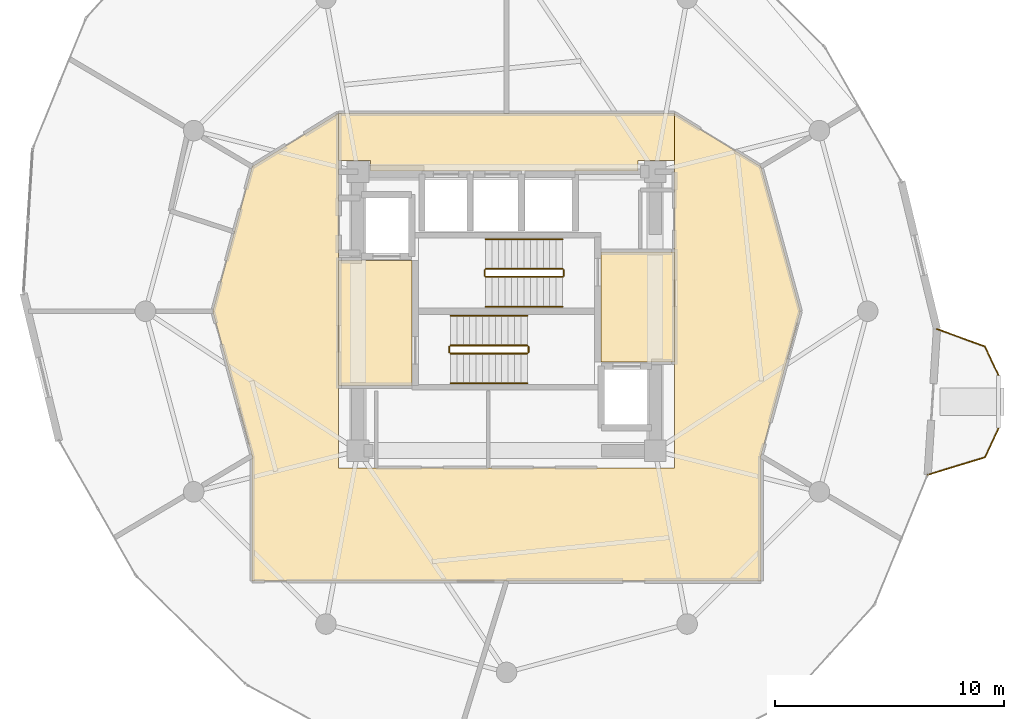
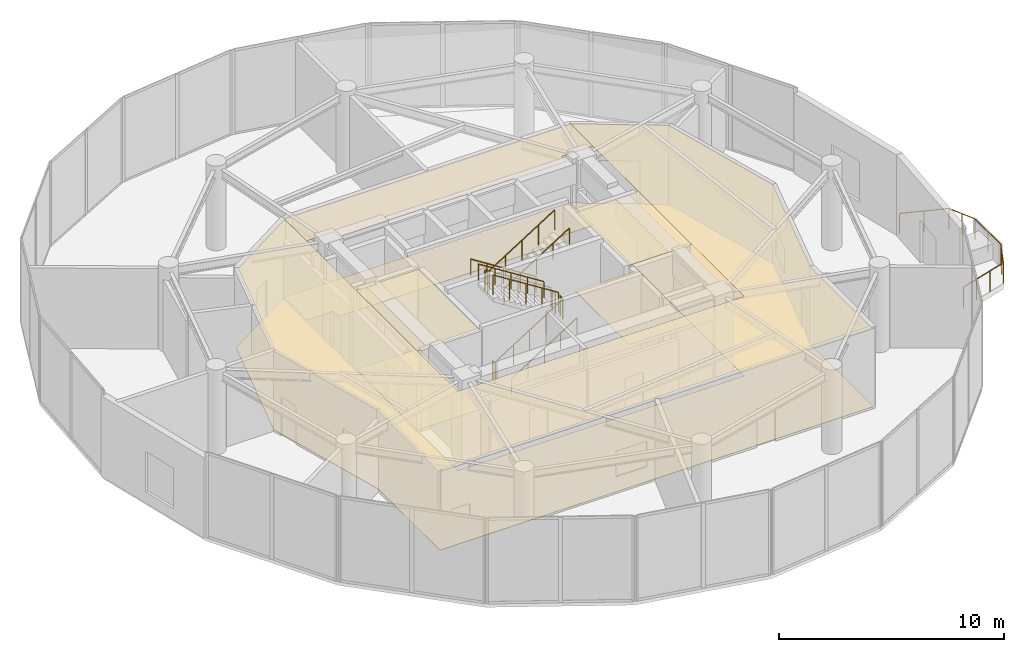
# One storey, part 22 of 23: 13 railings, 8 coverings.
"""IFC4 building model written with IfcOpenShell, lengths in metres."""

from ifc_helpers import new_model, si_unit, direction, frame, origin, origin_2d, place, context, subcontext, project, spatial, polyline, circle, outline, extrude, material, layer, layer_set, type_object, element, save


model = new_model("IFC4")

# Units and contexts
model_context = context("Model", 3, precision=1e-05, world=origin(), true_north=direction((0.0, 1.0)))
body_context = subcontext(model_context, "Body", "Model", "MODEL_VIEW")
ifc_project = project(units=[si_unit("LENGTHUNIT", "METRE"), si_unit("AREAUNIT", "SQUARE_METRE"), si_unit("VOLUMEUNIT", "CUBIC_METRE"), si_unit("PLANEANGLEUNIT", "RADIAN"), si_unit("MASSUNIT", "GRAM", prefix="KILO")], contexts=[model_context])

# Site, building, storey
site_placement = place(None, origin())
site = spatial("IfcSite", under=ifc_project, at=site_placement, CompositionType="ELEMENT")
building_placement = place(site_placement, origin())
building = spatial("IfcBuilding", under=site, at=building_placement, Name="Solvirekh Grand Hotel", CompositionType="ELEMENT")
storey_placement = place(building_placement, frame((0.0, 0.0, 168.60009765625)))
storey = spatial("IfcBuildingStorey", under=building, at=storey_placement, Name="L43", CompositionType="ELEMENT", Elevation=168.60009765625)

# Coverings
ifc_material_1 = material(Name="Acoustic Mineral Ceiling Tile")
ifc_layer_1 = layer(ifc_material_1, 0.02490234375)
ifc_layer_set_1 = layer_set([ifc_layer_1], Name="Acoustic Mineral Ceiling Tile")
covering_type_1 = type_object("IfcCoveringType", Name="Cov_Ceiling_Acoustic", PredefinedType="CEILING", material=ifc_layer_set_1)
covering_1_placement = place(storey_placement, frame((0.0, 0.0, 4.309814453125)))
element("IfcCovering", 1, at=covering_1_placement, inside=storey, type_object=covering_type_1, Name="L43 Firefighting Lobby West acoustic ceiling", PredefinedType="CEILING", context=body_context, shape_type="SweptSolid", body=[
    extrude(outline(polyline([(-7.35009765625, -3.25), (-4.1298828125, -3.25), (-4.1298828125, 2.2099609375), (-7.35009765625, 2.2099609375), (-7.35009765625, -3.25)])), origin(), (0.0, 0.0, 1.0), 0.01806640625),
])
covering_2_placement = place(storey_placement, frame((0.0, 0.0, 4.309814453125)))
element("IfcCovering", 2, at=covering_2_placement, inside=storey, type_object=covering_type_1, Name="L43 Firefighting Lobby East acoustic ceiling", PredefinedType="CEILING", context=body_context, shape_type="SweptSolid", body=[
    extrude(outline(polyline([(4.1298828125, -2.2099609375), (7.35009765625, -2.2099609375), (7.35009765625, 2.60009765625), (4.1298828125, 2.60009765625), (4.1298828125, -2.2099609375)])), origin(), (0.0, 0.0, 1.0), 0.01806640625),
])
covering_3_placement = place(storey_placement, frame((0.0, 0.0, 4.309814453125)))
element("IfcCovering", 3, at=covering_3_placement, inside=storey, type_object=covering_type_1, Name="L43 L43 High-Zone Passenger Lift Lobby acoustic ceiling", PredefinedType="CEILING", context=body_context, shape_type="SweptSolid", body=[
    extrude(outline(polyline([(-7.35009765625, 6.60009765625), (-5.949951171875, 6.60009765625), (-5.949951171875, 6.139892578125), (5.75, 6.139892578125), (5.75, 6.60009765625), (7.35009765625, 6.60009765625), (7.35009765625, 8.64990234375), (-7.35009765625, 8.64990234375), (-7.35009765625, 6.60009765625)])), origin(), (0.0, 0.0, 1.0), 0.01806640625),
])
covering_4_placement = place(storey_placement, frame((0.0, 0.0, 4.309814453125)))
element("IfcCovering", 4, at=covering_4_placement, inside=storey, type_object=covering_type_1, Name="L43 L43 Open Sky-Gallery Concourse acoustic ceiling", PredefinedType="CEILING", context=body_context, shape_type="SweptSolid", body=[
    extrude(outline(polyline([(-7.35009765625, -6.85009765625), (-7.35009765625, 8.64990234375), (-11.1279296875, 6.324951171875), (-12.85009765625, 0.0), (-11.1279296875, -6.324951171875), (-11.1279296875, -11.800048828125), (0.0, -11.800048828125), (11.1279296875, -11.800048828125), (11.1279296875, -6.324951171875), (12.85009765625, 0.0), (11.1279296875, 6.324951171875), (7.35009765625, 8.64990234375), (7.35009765625, -6.85009765625), (-7.35009765625, -6.85009765625)])), origin(), (0.0, 0.0, 1.0), 0.01806640625),
])
ifc_material_2 = material(Name="Porcelain Stoneware Flooring", Category="masonry")
ifc_layer_2 = layer(ifc_material_2, 0.030029296875)
ifc_layer_set_2 = layer_set([ifc_layer_2], Name="Porcelain Stoneware Flooring")
covering_type_2 = type_object("IfcCoveringType", Name="Cov_Floor_Stone", PredefinedType="FLOORING", material=ifc_layer_set_2)
covering_5_placement = place(storey_placement, origin())
element("IfcCovering", 5, at=covering_5_placement, inside=storey, type_object=covering_type_2, Name="L43 Firefighting Lobby West polished granite flooring", PredefinedType="FLOORING", context=body_context, shape_type="SweptSolid", body=[
    extrude(outline(polyline([(-7.35009765625, -3.25), (-4.1298828125, -3.25), (-4.1298828125, 2.2099609375), (-7.35009765625, 2.2099609375), (-7.35009765625, -3.25)])), origin(), (0.0, 0.0, 1.0), 0.02001953125),
])
covering_6_placement = place(storey_placement, origin())
element("IfcCovering", 6, at=covering_6_placement, inside=storey, type_object=covering_type_2, Name="L43 Firefighting Lobby East polished granite flooring", PredefinedType="FLOORING", context=body_context, shape_type="SweptSolid", body=[
    extrude(outline(polyline([(4.1298828125, -2.2099609375), (7.35009765625, -2.2099609375), (7.35009765625, 2.60009765625), (4.1298828125, 2.60009765625), (4.1298828125, -2.2099609375)])), origin(), (0.0, 0.0, 1.0), 0.02001953125),
])
covering_7_placement = place(storey_placement, origin())
element("IfcCovering", 7, at=covering_7_placement, inside=storey, type_object=covering_type_2, Name="L43 L43 High-Zone Passenger Lift Lobby polished granite flooring", PredefinedType="FLOORING", context=body_context, shape_type="SweptSolid", body=[
    extrude(outline(polyline([(-7.35009765625, 6.60009765625), (-5.949951171875, 6.60009765625), (-5.949951171875, 6.139892578125), (5.75, 6.139892578125), (5.75, 6.60009765625), (7.35009765625, 6.60009765625), (7.35009765625, 8.64990234375), (-7.35009765625, 8.64990234375), (-7.35009765625, 6.60009765625)])), origin(), (0.0, 0.0, 1.0), 0.02001953125),
])
covering_8_placement = place(storey_placement, origin())
element("IfcCovering", 8, at=covering_8_placement, inside=storey, type_object=covering_type_2, Name="L43 L43 Open Sky-Gallery Concourse polished granite flooring", PredefinedType="FLOORING", context=body_context, shape_type="SweptSolid", body=[
    extrude(outline(polyline([(-7.35009765625, -6.85009765625), (-7.35009765625, 8.64990234375), (-11.1279296875, 6.324951171875), (-12.85009765625, 0.0), (-11.1279296875, -6.324951171875), (-11.1279296875, -11.800048828125), (0.0, -11.800048828125), (11.1279296875, -11.800048828125), (11.1279296875, -6.324951171875), (12.85009765625, 0.0), (11.1279296875, 6.324951171875), (7.35009765625, 8.64990234375), (7.35009765625, -6.85009765625), (-7.35009765625, -6.85009765625)])), origin(), (0.0, 0.0, 1.0), 0.02001953125),
])

# Railings
ifc_material_3 = material(Name="Anodized Bronze Aluminium 6063-T6", Category="aluminium")
railing_type_1 = type_object("IfcRailingType", Name="Guard_ExtGlass_1150", PredefinedType="BALUSTRADE", material=ifc_material_3)
railing_1_placement = place(storey_placement, frame((18.424072265625, -7.155029296875, 0.0)))
element("IfcRailing", 9, at=railing_1_placement, inside=storey, type_object=railing_type_1, Name="L43 horn perimeter glass balustrade", PredefinedType="BALUSTRADE", context=body_context, shape_type="SweptSolid", body=[
    extrude(circle(Radius=0.02392578125, at=origin_2d()), frame((0.0, 0.0, 1.1259765625), z_axis=(0.956345779914, 0.292237487739, 0.0), x_axis=(-0.292237487739, 0.956345779914, 0.0)), (0.0, 0.0, 1.0), 2.6181640625),
    extrude(circle(Radius=0.02392578125, at=origin_2d()), frame((2.50390625, 0.76513671875, 1.1259765625), z_axis=(0.425613572183, 0.904905015553, 0.0), x_axis=(-0.904905015553, 0.425613572183, 0.0)), (0.0, 0.0, 1.0), 1.409912109375),
    extrude(circle(Radius=0.02392578125, at=origin_2d()), frame((3.10400390625, 2.041015625, 1.1259765625), z_axis=(0.0, 1.0, 0.0), x_axis=(-1.0, 0.0, 0.0)), (0.0, 0.0, 1.0), 2.294921875),
    extrude(circle(Radius=0.02392578125, at=origin_2d()), frame((3.10400390625, 4.3359375, 1.1259765625), z_axis=(-0.425546892806, 0.904936374572, 0.0), x_axis=(-0.904936374572, -0.425546892806, 0.0)), (0.0, 0.0, 1.0), 1.41015625),
    extrude(circle(Radius=0.02392578125, at=origin_2d()), frame((2.50390625, 5.612060546875, 1.1259765625), z_axis=(-0.939617889851, 0.342225395129, 0.0), x_axis=(-0.342225395129, -0.939617889851, 0.0)), (0.0, 0.0, 1.0), 2.235107421875),
    extrude(circle(Radius=0.02099609375, at=origin_2d()), origin(), (0.0, 0.0, 1.0), 1.101806640625),
    extrude(circle(Radius=0.02099609375, at=origin_2d()), frame((0.834716796875, 0.255126953125, 0.0)), (0.0, 0.0, 1.0), 1.101806640625),
    extrude(circle(Radius=0.02099609375, at=origin_2d()), frame((1.669189453125, 0.510009765625, 0.0)), (0.0, 0.0, 1.0), 1.101806640625),
    extrude(circle(Radius=0.02099609375, at=origin_2d()), frame((2.50390625, 0.76513671875, 0.0)), (0.0, 0.0, 1.0), 1.101806640625),
    extrude(circle(Radius=0.02099609375, at=origin_2d()), frame((2.803955078125, 1.403076171875, 0.0)), (0.0, 0.0, 1.0), 1.101806640625),
    extrude(circle(Radius=0.02099609375, at=origin_2d()), frame((3.10400390625, 2.041015625, 0.0)), (0.0, 0.0, 1.0), 1.101806640625),
    extrude(circle(Radius=0.02099609375, at=origin_2d()), frame((3.10400390625, 3.1884765625, 0.0)), (0.0, 0.0, 1.0), 1.101806640625),
    extrude(circle(Radius=0.02099609375, at=origin_2d()), frame((3.10400390625, 4.3359375, 0.0)), (0.0, 0.0, 1.0), 1.101806640625),
    extrude(circle(Radius=0.02099609375, at=origin_2d()), frame((2.803955078125, 4.97412109375, 0.0)), (0.0, 0.0, 1.0), 1.101806640625),
    extrude(circle(Radius=0.02099609375, at=origin_2d()), frame((2.50390625, 5.612060546875, 0.0)), (0.0, 0.0, 1.0), 1.101806640625),
    extrude(circle(Radius=0.02099609375, at=origin_2d()), frame((1.453857421875, 5.99462890625, 0.0)), (0.0, 0.0, 1.0), 1.101806640625),
    extrude(circle(Radius=0.02099609375, at=origin_2d()), frame((0.40380859375, 6.376953125, 0.0)), (0.0, 0.0, 1.0), 1.101806640625),
])
ifc_material_4 = material(Name="Steel S355", Category="steel")
railing_type_2 = type_object("IfcRailingType", Name="Guard_Stair_1100", PredefinedType="GUARDRAIL", material=ifc_material_4)
railing_2_placement = place(storey_placement, frame((-2.449951171875, -1.85009765625, 0.1767578125)))
element("IfcRailing", 10, at=railing_2_placement, inside=storey, type_object=railing_type_2, Name="L43 ST-1 stair guard 1", PredefinedType="GUARDRAIL", context=body_context, shape_type="SweptSolid", body=[
    extrude(circle(Radius=0.02392578125, at=origin_2d()), frame((0.0, 0.0, 1.076171875), z_axis=(0.845372108799, 0.0, 0.534177870812), x_axis=(0.0, 1.0, 0.0)), (0.0, 0.0, 1.0), 3.974365234375),
    extrude(circle(Radius=0.02099609375, at=origin_2d()), origin(), (0.0, 0.0, 1.0), 1.052001953125),
    extrude(circle(Radius=0.02099609375, at=origin_2d()), frame((0.83984375, 0.0, 0.53076171875)), (0.0, 0.0, 1.0), 1.052001953125),
    extrude(circle(Radius=0.02099609375, at=origin_2d()), frame((1.679931640625, 0.0, 1.0615234375)), (0.0, 0.0, 1.0), 1.052001953125),
    extrude(circle(Radius=0.02099609375, at=origin_2d()), frame((2.52001953125, 0.0, 1.59228515625)), (0.0, 0.0, 1.0), 1.052001953125),
    extrude(circle(Radius=0.02099609375, at=origin_2d()), frame((3.35986328125, 0.0, 2.123046875)), (0.0, 0.0, 1.0), 1.052001953125),
])
railing_3_placement = place(storey_placement, frame((0.9599609375, -1.800048828125, 2.2998046875)))
element("IfcRailing", 11, at=railing_3_placement, inside=storey, type_object=railing_type_2, Name="L43 ST-1 stair guard 2", PredefinedType="GUARDRAIL", context=body_context, shape_type="SweptSolid", body=[
    extrude(circle(Radius=0.02392578125, at=origin_2d()), frame((0.0, 0.0, 1.076171875), z_axis=(0.0, 1.0, 0.0), x_axis=(-1.0, 0.0, 0.0)), (0.0, 0.0, 1.0), 0.25),
    extrude(circle(Radius=0.02099609375, at=origin_2d()), origin(), (0.0, 0.0, 1.0), 1.052001953125),
    extrude(circle(Radius=0.02099609375, at=origin_2d()), frame((0.0, 0.25, 0.0)), (0.0, 0.0, 1.0), 1.052001953125),
])
railing_4_placement = place(storey_placement, frame((0.909912109375, -1.5, 2.476806640625)))
element("IfcRailing", 12, at=railing_4_placement, inside=storey, type_object=railing_type_2, Name="L43 ST-1 stair guard 3", PredefinedType="GUARDRAIL", context=body_context, shape_type="SweptSolid", body=[
    extrude(circle(Radius=0.02392578125, at=origin_2d()), frame((0.0, 0.0, 1.076171875), z_axis=(-0.845372108799, 0.0, 0.534177870812), x_axis=(0.0, -1.0, 0.0)), (0.0, 0.0, 1.0), 3.974365234375),
    extrude(circle(Radius=0.02099609375, at=origin_2d()), origin(), (0.0, 0.0, 1.0), 1.052001953125),
    extrude(circle(Radius=0.02099609375, at=origin_2d()), frame((-0.83984375, 0.0, 0.53076171875)), (0.0, 0.0, 1.0), 1.052001953125),
    extrude(circle(Radius=0.02099609375, at=origin_2d()), frame((-1.679931640625, 0.0, 1.0615234375)), (0.0, 0.0, 1.0), 1.052001953125),
    extrude(circle(Radius=0.02099609375, at=origin_2d()), frame((-2.52001953125, 0.0, 1.59228515625)), (0.0, 0.0, 1.0), 1.052001953125),
    extrude(circle(Radius=0.02099609375, at=origin_2d()), frame((-3.35986328125, 0.0, 2.123046875)), (0.0, 0.0, 1.0), 1.052001953125),
])
railing_5_placement = place(storey_placement, frame((-2.5, -1.800048828125, 0.0)))
element("IfcRailing", 13, at=railing_5_placement, inside=storey, type_object=railing_type_2, Name="L43 ST-1 stair guard 4", PredefinedType="GUARDRAIL", context=body_context, shape_type="SweptSolid", body=[
    extrude(circle(Radius=0.02392578125, at=origin_2d()), frame((0.0, 0.0, 1.076171875), z_axis=(0.0, 1.0, 0.0), x_axis=(-1.0, 0.0, 0.0)), (0.0, 0.0, 1.0), 0.25),
    extrude(circle(Radius=0.02099609375, at=origin_2d()), origin(), (0.0, 0.0, 1.0), 1.052001953125),
    extrude(circle(Radius=0.02099609375, at=origin_2d()), frame((0.0, 0.25, 0.0)), (0.0, 0.0, 1.0), 1.052001953125),
])
railing_6_placement = place(storey_placement, frame((2.449951171875, 1.85009765625, 0.1767578125)))
element("IfcRailing", 14, at=railing_6_placement, inside=storey, type_object=railing_type_2, Name="L43 ST-2 stair guard 1", PredefinedType="GUARDRAIL", context=body_context, shape_type="SweptSolid", body=[
    extrude(circle(Radius=0.02392578125, at=origin_2d()), frame((0.0, 0.0, 1.076171875), z_axis=(-0.845372108799, 0.0, 0.534177870812), x_axis=(0.0, -1.0, 0.0)), (0.0, 0.0, 1.0), 3.974365234375),
    extrude(circle(Radius=0.02099609375, at=origin_2d()), origin(), (0.0, 0.0, 1.0), 1.052001953125),
    extrude(circle(Radius=0.02099609375, at=origin_2d()), frame((-0.83984375, 0.0, 0.53076171875)), (0.0, 0.0, 1.0), 1.052001953125),
    extrude(circle(Radius=0.02099609375, at=origin_2d()), frame((-1.679931640625, 0.0, 1.0615234375)), (0.0, 0.0, 1.0), 1.052001953125),
    extrude(circle(Radius=0.02099609375, at=origin_2d()), frame((-2.52001953125, 0.0, 1.59228515625)), (0.0, 0.0, 1.0), 1.052001953125),
    extrude(circle(Radius=0.02099609375, at=origin_2d()), frame((-3.35986328125, 0.0, 2.123046875)), (0.0, 0.0, 1.0), 1.052001953125),
])
railing_7_placement = place(storey_placement, frame((-0.9599609375, 1.800048828125, 2.2998046875)))
element("IfcRailing", 15, at=railing_7_placement, inside=storey, type_object=railing_type_2, Name="L43 ST-2 stair guard 2", PredefinedType="GUARDRAIL", context=body_context, shape_type="SweptSolid", body=[
    extrude(circle(Radius=0.02392578125, at=origin_2d()), frame((0.0, 0.0, 1.076171875), z_axis=(0.0, -1.0, 0.0), x_axis=(1.0, 0.0, 0.0)), (0.0, 0.0, 1.0), 0.25),
    extrude(circle(Radius=0.02099609375, at=origin_2d()), origin(), (0.0, 0.0, 1.0), 1.052001953125),
    extrude(circle(Radius=0.02099609375, at=origin_2d()), frame((0.0, -0.25, 0.0)), (0.0, 0.0, 1.0), 1.052001953125),
])
railing_8_placement = place(storey_placement, frame((-0.909912109375, 1.5, 2.476806640625)))
element("IfcRailing", 16, at=railing_8_placement, inside=storey, type_object=railing_type_2, Name="L43 ST-2 stair guard 3", PredefinedType="GUARDRAIL", context=body_context, shape_type="SweptSolid", body=[
    extrude(circle(Radius=0.02392578125, at=origin_2d()), frame((0.0, 0.0, 1.076171875), z_axis=(0.845372108799, 0.0, 0.534177870812), x_axis=(0.0, 1.0, 0.0)), (0.0, 0.0, 1.0), 3.974365234375),
    extrude(circle(Radius=0.02099609375, at=origin_2d()), origin(), (0.0, 0.0, 1.0), 1.052001953125),
    extrude(circle(Radius=0.02099609375, at=origin_2d()), frame((0.83984375, 0.0, 0.53076171875)), (0.0, 0.0, 1.0), 1.052001953125),
    extrude(circle(Radius=0.02099609375, at=origin_2d()), frame((1.679931640625, 0.0, 1.0615234375)), (0.0, 0.0, 1.0), 1.052001953125),
    extrude(circle(Radius=0.02099609375, at=origin_2d()), frame((2.52001953125, 0.0, 1.59228515625)), (0.0, 0.0, 1.0), 1.052001953125),
    extrude(circle(Radius=0.02099609375, at=origin_2d()), frame((3.35986328125, 0.0, 2.123046875)), (0.0, 0.0, 1.0), 1.052001953125),
])
railing_9_placement = place(storey_placement, frame((2.5, 1.800048828125, 0.0)))
element("IfcRailing", 17, at=railing_9_placement, inside=storey, type_object=railing_type_2, Name="L43 ST-2 stair guard 4", PredefinedType="GUARDRAIL", context=body_context, shape_type="SweptSolid", body=[
    extrude(circle(Radius=0.02392578125, at=origin_2d()), frame((0.0, 0.0, 1.076171875), z_axis=(0.0, -1.0, 0.0), x_axis=(1.0, 0.0, 0.0)), (0.0, 0.0, 1.0), 0.25),
    extrude(circle(Radius=0.02099609375, at=origin_2d()), origin(), (0.0, 0.0, 1.0), 1.052001953125),
    extrude(circle(Radius=0.02099609375, at=origin_2d()), frame((0.0, -0.25, 0.0)), (0.0, 0.0, 1.0), 1.052001953125),
])
railing_type_3 = type_object("IfcRailingType", Name="Handrail_Wall_900", PredefinedType="HANDRAIL", material=ifc_material_3)
railing_10_placement = place(storey_placement, frame((-2.449951171875, -3.14990234375, 0.1767578125)))
element("IfcRailing", 18, at=railing_10_placement, inside=storey, type_object=railing_type_3, Name="L43 ST-1 stair handrail 1", PredefinedType="HANDRAIL", context=body_context, shape_type="SweptSolid", body=[
    extrude(circle(Radius=0.02392578125, at=origin_2d()), frame((0.0, 0.0, 0.8759765625), z_axis=(0.845372108799, 0.0, 0.534177870812), x_axis=(0.0, 1.0, 0.0)), (0.0, 0.0, 1.0), 3.974365234375),
    extrude(circle(Radius=0.02099609375, at=origin_2d()), origin(), (0.0, 0.0, 1.0), 0.851806640625),
    extrude(circle(Radius=0.02099609375, at=origin_2d()), frame((0.83984375, 0.0, 0.53076171875)), (0.0, 0.0, 1.0), 0.851806640625),
    extrude(circle(Radius=0.02099609375, at=origin_2d()), frame((1.679931640625, 0.0, 1.0615234375)), (0.0, 0.0, 1.0), 0.851806640625),
    extrude(circle(Radius=0.02099609375, at=origin_2d()), frame((2.52001953125, 0.0, 1.59228515625)), (0.0, 0.0, 1.0), 0.851806640625),
    extrude(circle(Radius=0.02099609375, at=origin_2d()), frame((3.35986328125, 0.0, 2.123046875)), (0.0, 0.0, 1.0), 0.851806640625),
])
for number, where, name in (
    (19, (0.909912109375, -0.199951171875, 2.476806640625), "L43 ST-1 stair handrail 2"),
    (20, (2.449951171875, 3.14990234375, 0.1767578125), "L43 ST-2 stair handrail 1"),
):
    element("IfcRailing", number, at=place(storey_placement, frame(where)), inside=storey, type_object=railing_type_3, Name=name, PredefinedType="HANDRAIL", context=body_context, shape_type="SweptSolid", body=[
        extrude(circle(Radius=0.02392578125, at=origin_2d()), frame((0.0, 0.0, 0.8759765625), z_axis=(-0.845372108799, 0.0, 0.534177870812), x_axis=(0.0, -1.0, 0.0)), (0.0, 0.0, 1.0), 3.974365234375),
        extrude(circle(Radius=0.02099609375, at=origin_2d()), origin(), (0.0, 0.0, 1.0), 0.851806640625),
        extrude(circle(Radius=0.02099609375, at=origin_2d()), frame((-0.83984375, 0.0, 0.53076171875)), (0.0, 0.0, 1.0), 0.851806640625),
        extrude(circle(Radius=0.02099609375, at=origin_2d()), frame((-1.679931640625, 0.0, 1.0615234375)), (0.0, 0.0, 1.0), 0.851806640625),
        extrude(circle(Radius=0.02099609375, at=origin_2d()), frame((-2.52001953125, 0.0, 1.59228515625)), (0.0, 0.0, 1.0), 0.851806640625),
        extrude(circle(Radius=0.02099609375, at=origin_2d()), frame((-3.35986328125, 0.0, 2.123046875)), (0.0, 0.0, 1.0), 0.851806640625),
    ])
railing_11_placement = place(storey_placement, frame((-0.909912109375, 0.199951171875, 2.476806640625)))
element("IfcRailing", 21, at=railing_11_placement, inside=storey, type_object=railing_type_3, Name="L43 ST-2 stair handrail 2", PredefinedType="HANDRAIL", context=body_context, shape_type="SweptSolid", body=[
    extrude(circle(Radius=0.02392578125, at=origin_2d()), frame((0.0, 0.0, 0.8759765625), z_axis=(0.845372108799, 0.0, 0.534177870812), x_axis=(0.0, 1.0, 0.0)), (0.0, 0.0, 1.0), 3.974365234375),
    extrude(circle(Radius=0.02099609375, at=origin_2d()), origin(), (0.0, 0.0, 1.0), 0.851806640625),
    extrude(circle(Radius=0.02099609375, at=origin_2d()), frame((0.83984375, 0.0, 0.53076171875)), (0.0, 0.0, 1.0), 0.851806640625),
    extrude(circle(Radius=0.02099609375, at=origin_2d()), frame((1.679931640625, 0.0, 1.0615234375)), (0.0, 0.0, 1.0), 0.851806640625),
    extrude(circle(Radius=0.02099609375, at=origin_2d()), frame((2.52001953125, 0.0, 1.59228515625)), (0.0, 0.0, 1.0), 0.851806640625),
    extrude(circle(Radius=0.02099609375, at=origin_2d()), frame((3.35986328125, 0.0, 2.123046875)), (0.0, 0.0, 1.0), 0.851806640625),
])

save(model, "model.ifc")
